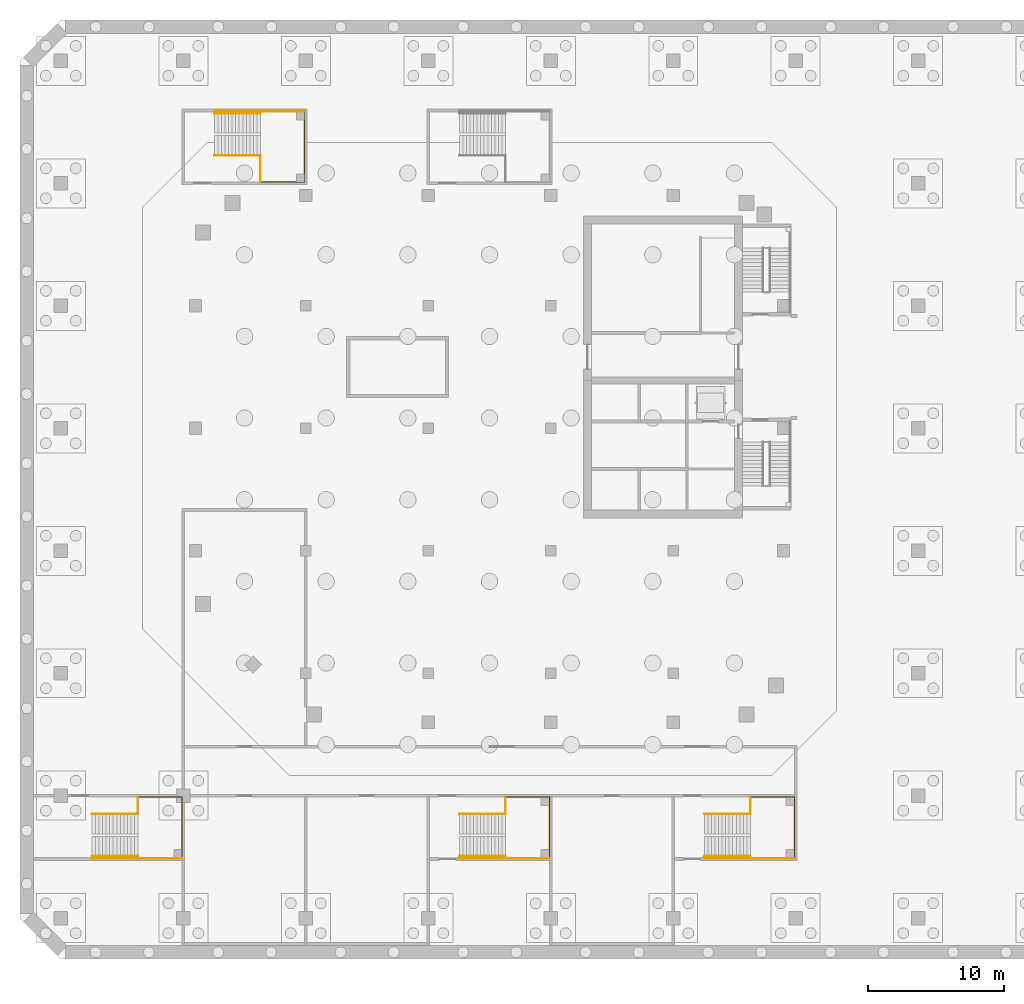
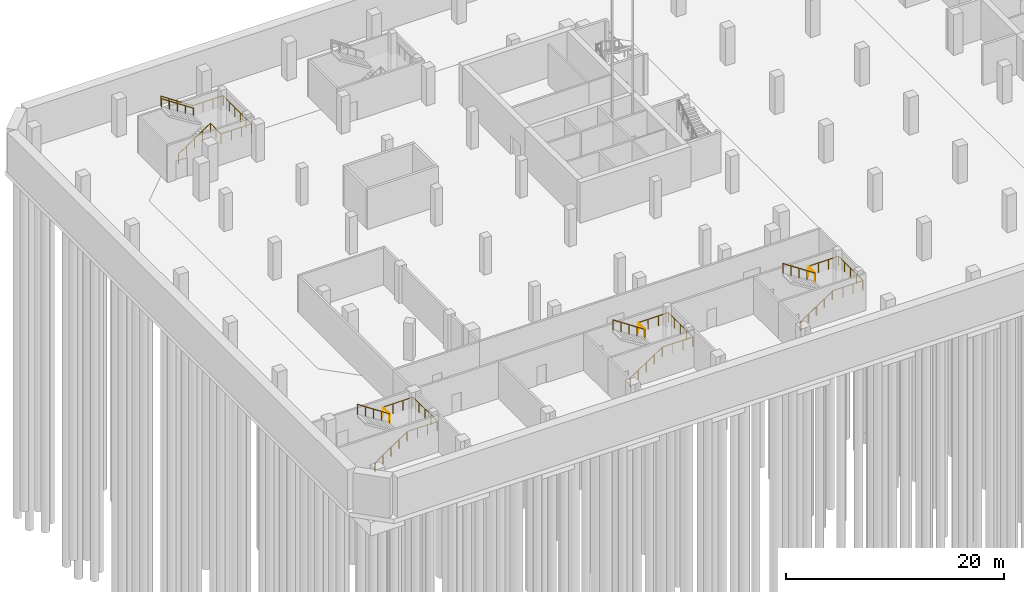
# One storey, part 25 of 30: 20 railings.
"""IFC4 building model written with IfcOpenShell, lengths in metres."""

from ifc_helpers import new_model, si_unit, direction, frame, origin, origin_2d, place, context, subcontext, project, spatial, circle, extrude, material, type_object, element, save


model = new_model("IFC4")

# Units and contexts
model_context = context("Model", 3, precision=1e-05, world=origin(), true_north=direction((0.0, 1.0)))
body_context = subcontext(model_context, "Body", "Model", "MODEL_VIEW")
ifc_project = project(units=[si_unit("LENGTHUNIT", "METRE"), si_unit("AREAUNIT", "SQUARE_METRE"), si_unit("VOLUMEUNIT", "CUBIC_METRE"), si_unit("PLANEANGLEUNIT", "RADIAN"), si_unit("MASSUNIT", "GRAM", prefix="KILO")], contexts=[model_context])

# Site, building, storey
site_placement = place(None, origin())
site = spatial("IfcSite", under=ifc_project, at=site_placement, CompositionType="ELEMENT")
building_placement = place(site_placement, origin())
building = spatial("IfcBuilding", under=site, at=building_placement, Name="Cinnabar Reach Civic Tower", CompositionType="ELEMENT")
storey_placement = place(building_placement, frame((0.0, 0.0, -14.0)))
storey = spatial("IfcBuildingStorey", under=building, at=storey_placement, Name="B3", CompositionType="ELEMENT", Elevation=-14.0)

# Railings
ifc_material_1 = material(Name="Stainless steel and glass", Category="steel")
railing_type_1 = type_object("IfcRailingType", Name="Podium guard 1100", PredefinedType="GUARDRAIL", material=ifc_material_1)
railing_1_placement = place(storey_placement, frame((-75.32, -1.35, 2.25)))
element("IfcRailing", 1, at=railing_1_placement, inside=storey, type_object=railing_type_1, Name="Stair guard PS1 B3", PredefinedType="GUARDRAIL", context=body_context, shape_type="SweptSolid", body=[
    extrude(circle(Radius=0.024, at=origin_2d()), frame((0.0, 0.0, 1.076), z_axis=(-0.832428993721, 0.0, 0.554131726589), x_axis=(0.0, -1.0, 0.0)), (0.0, 0.0, 1.0), 4.0604),
    extrude(circle(Radius=0.021, at=origin_2d()), origin(), (0.0, 0.0, 1.0), 1.052),
    extrude(circle(Radius=0.021, at=origin_2d()), frame((-0.845, 0.0, 0.5625)), (0.0, 0.0, 1.0), 1.052),
    extrude(circle(Radius=0.021, at=origin_2d()), frame((-1.69, 0.0, 1.125)), (0.0, 0.0, 1.0), 1.052),
    extrude(circle(Radius=0.021, at=origin_2d()), frame((-2.535, 0.0, 1.6875)), (0.0, 0.0, 1.0), 1.052),
    extrude(circle(Radius=0.021, at=origin_2d()), frame((-3.38, 0.0, 2.25)), (0.0, 0.0, 1.0), 1.052),
])
railing_2_placement = place(storey_placement, frame((-75.32, -0.1, 2.25)))
element("IfcRailing", 2, at=railing_2_placement, inside=storey, type_object=railing_type_1, Name="Landing guard PS1 B3", PredefinedType="GUARDRAIL", context=body_context, shape_type="SweptSolid", body=[
    extrude(circle(Radius=0.024, at=origin_2d()), frame((0.0, 0.0, 1.076), z_axis=(1.0, 0.0, 0.0), x_axis=(0.0, 1.0, 0.0)), (0.0, 0.0, 1.0), 3.22),
    extrude(circle(Radius=0.024, at=origin_2d()), frame((3.22, 0.0, 1.076), z_axis=(0.0, -1.0, 0.0), x_axis=(1.0, 0.0, 0.0)), (0.0, 0.0, 1.0), 4.4),
    extrude(circle(Radius=0.021, at=origin_2d()), origin(), (0.0, 0.0, 1.0), 1.052),
    extrude(circle(Radius=0.021, at=origin_2d()), frame((1.0733, 0.0, 0.0)), (0.0, 0.0, 1.0), 1.052),
    extrude(circle(Radius=0.021, at=origin_2d()), frame((2.1467, 0.0, 0.0)), (0.0, 0.0, 1.0), 1.052),
    extrude(circle(Radius=0.021, at=origin_2d()), frame((3.22, 0.0, 0.0)), (0.0, 0.0, 1.0), 1.052),
    extrude(circle(Radius=0.021, at=origin_2d()), frame((3.22, -1.1, 0.0)), (0.0, 0.0, 1.0), 1.052),
    extrude(circle(Radius=0.021, at=origin_2d()), frame((3.22, -2.2, 0.0)), (0.0, 0.0, 1.0), 1.052),
    extrude(circle(Radius=0.021, at=origin_2d()), frame((3.22, -3.3, 0.0)), (0.0, 0.0, 1.0), 1.052),
    extrude(circle(Radius=0.021, at=origin_2d()), frame((3.22, -4.4, 0.0)), (0.0, 0.0, 1.0), 1.052),
])
railing_3_placement = place(storey_placement, frame((-75.32, -1.3, 2.25)))
element("IfcRailing", 3, at=railing_3_placement, inside=storey, type_object=railing_type_1, Name="Landing guard PS1 B3 inner", PredefinedType="GUARDRAIL", context=body_context, shape_type="SweptSolid", body=[
    extrude(circle(Radius=0.024, at=origin_2d()), frame((0.0, 0.0, 1.076), z_axis=(0.0, 1.0, 0.0), x_axis=(-1.0, 0.0, 0.0)), (0.0, 0.0, 1.0), 1.2),
    extrude(circle(Radius=0.021, at=origin_2d()), origin(), (0.0, 0.0, 1.0), 1.052),
    extrude(circle(Radius=0.021, at=origin_2d()), frame((0.0, 1.2, 0.0)), (0.0, 0.0, 1.0), 1.052),
])
railing_4_placement = place(storey_placement, frame((-78.7, -4.6, 0.0)))
element("IfcRailing", 4, at=railing_4_placement, inside=storey, type_object=railing_type_1, Name="Stair wall side guard PS1 B3", PredefinedType="GUARDRAIL", context=body_context, shape_type="SweptSolid", body=[
    extrude(circle(Radius=0.024, at=origin_2d()), frame((0.0, 0.0, 1.076), z_axis=(0.832428993721, 0.0, 0.554131726589), x_axis=(0.0, 1.0, 0.0)), (0.0, 0.0, 1.0), 4.0604),
    extrude(circle(Radius=0.024, at=origin_2d()), frame((3.38, 0.0, 3.326), z_axis=(1.0, 0.0, 0.0), x_axis=(0.0, 1.0, 0.0)), (0.0, 0.0, 1.0), 3.22),
    extrude(circle(Radius=0.021, at=origin_2d()), origin(), (0.0, 0.0, 1.0), 1.052),
    extrude(circle(Radius=0.021, at=origin_2d()), frame((0.845, 0.0, 0.5625)), (0.0, 0.0, 1.0), 1.052),
    extrude(circle(Radius=0.021, at=origin_2d()), frame((1.69, 0.0, 1.125)), (0.0, 0.0, 1.0), 1.052),
    extrude(circle(Radius=0.021, at=origin_2d()), frame((2.535, 0.0, 1.6875)), (0.0, 0.0, 1.0), 1.052),
    extrude(circle(Radius=0.021, at=origin_2d()), frame((3.38, 0.0, 2.25)), (0.0, 0.0, 1.0), 1.052),
    extrude(circle(Radius=0.021, at=origin_2d()), frame((4.4533, 0.0, 2.25)), (0.0, 0.0, 1.0), 1.052),
    extrude(circle(Radius=0.021, at=origin_2d()), frame((5.5267, 0.0, 2.25)), (0.0, 0.0, 1.0), 1.052),
    extrude(circle(Radius=0.021, at=origin_2d()), frame((6.6, 0.0, 2.25)), (0.0, 0.0, 1.0), 1.052),
])
railing_5_placement = place(storey_placement, frame((-69.7, 47.05, 0.0)))
element("IfcRailing", 5, at=railing_5_placement, inside=storey, type_object=railing_type_1, Name="Stair guard PS2 B3", PredefinedType="GUARDRAIL", context=body_context, shape_type="SweptSolid", body=[
    extrude(circle(Radius=0.024, at=origin_2d()), frame((0.0, 0.0, 1.076), z_axis=(0.832428993721, 0.0, 0.554131726589), x_axis=(0.0, 1.0, 0.0)), (0.0, 0.0, 1.0), 4.0604),
    extrude(circle(Radius=0.021, at=origin_2d()), origin(), (0.0, 0.0, 1.0), 1.052),
    extrude(circle(Radius=0.021, at=origin_2d()), frame((0.845, 0.0, 0.5625)), (0.0, 0.0, 1.0), 1.052),
    extrude(circle(Radius=0.021, at=origin_2d()), frame((1.69, 0.0, 1.125)), (0.0, 0.0, 1.0), 1.052),
    extrude(circle(Radius=0.021, at=origin_2d()), frame((2.535, 0.0, 1.6875)), (0.0, 0.0, 1.0), 1.052),
    extrude(circle(Radius=0.021, at=origin_2d()), frame((3.38, 0.0, 2.25)), (0.0, 0.0, 1.0), 1.052),
])
railing_6_placement = place(storey_placement, frame((-66.32, 45.1, 2.25)))
element("IfcRailing", 6, at=railing_6_placement, inside=storey, type_object=railing_type_1, Name="Landing guard PS2 B3", PredefinedType="GUARDRAIL", context=body_context, shape_type="SweptSolid", body=[
    extrude(circle(Radius=0.024, at=origin_2d()), frame((0.0, 0.0, 1.076), z_axis=(1.0, 0.0, 0.0), x_axis=(0.0, 1.0, 0.0)), (0.0, 0.0, 1.0), 3.22),
    extrude(circle(Radius=0.024, at=origin_2d()), frame((3.22, 0.0, 1.076), z_axis=(0.0, 1.0, 0.0), x_axis=(-1.0, 0.0, 0.0)), (0.0, 0.0, 1.0), 5.1),
    extrude(circle(Radius=0.021, at=origin_2d()), origin(), (0.0, 0.0, 1.0), 1.052),
    extrude(circle(Radius=0.021, at=origin_2d()), frame((1.0733, 0.0, 0.0)), (0.0, 0.0, 1.0), 1.052),
    extrude(circle(Radius=0.021, at=origin_2d()), frame((2.1467, 0.0, 0.0)), (0.0, 0.0, 1.0), 1.052),
    extrude(circle(Radius=0.021, at=origin_2d()), frame((3.22, 0.0, 0.0)), (0.0, 0.0, 1.0), 1.052),
    extrude(circle(Radius=0.021, at=origin_2d()), frame((3.22, 1.02, 0.0)), (0.0, 0.0, 1.0), 1.052),
    extrude(circle(Radius=0.021, at=origin_2d()), frame((3.22, 2.04, 0.0)), (0.0, 0.0, 1.0), 1.052),
    extrude(circle(Radius=0.021, at=origin_2d()), frame((3.22, 3.06, 0.0)), (0.0, 0.0, 1.0), 1.052),
    extrude(circle(Radius=0.021, at=origin_2d()), frame((3.22, 4.08, 0.0)), (0.0, 0.0, 1.0), 1.052),
    extrude(circle(Radius=0.021, at=origin_2d()), frame((3.22, 5.1, 0.0)), (0.0, 0.0, 1.0), 1.052),
])
railing_7_placement = place(storey_placement, frame((-66.32, 45.1, 2.25)))
element("IfcRailing", 7, at=railing_7_placement, inside=storey, type_object=railing_type_1, Name="Landing guard PS2 B3 inner", PredefinedType="GUARDRAIL", context=body_context, shape_type="SweptSolid", body=[
    extrude(circle(Radius=0.024, at=origin_2d()), frame((0.0, 0.0, 1.076), z_axis=(0.0, 1.0, 0.0), x_axis=(-1.0, 0.0, 0.0)), (0.0, 0.0, 1.0), 1.9),
    extrude(circle(Radius=0.021, at=origin_2d()), origin(), (0.0, 0.0, 1.0), 1.052),
    extrude(circle(Radius=0.021, at=origin_2d()), frame((0.0, 0.95, 0.0)), (0.0, 0.0, 1.0), 1.052),
    extrude(circle(Radius=0.021, at=origin_2d()), frame((0.0, 1.9, 0.0)), (0.0, 0.0, 1.0), 1.052),
])
railing_8_placement = place(storey_placement, frame((-63.1, 50.3, 2.25)))
element("IfcRailing", 8, at=railing_8_placement, inside=storey, type_object=railing_type_1, Name="Stair wall side guard PS2 B3", PredefinedType="GUARDRAIL", context=body_context, shape_type="SweptSolid", body=[
    extrude(circle(Radius=0.024, at=origin_2d()), frame((0.0, 0.0, 1.076), z_axis=(-1.0, 0.0, 0.0), x_axis=(0.0, -1.0, 0.0)), (0.0, 0.0, 1.0), 3.22),
    extrude(circle(Radius=0.024, at=origin_2d()), frame((-3.22, 0.0, 1.076), z_axis=(-0.832428993721, 0.0, 0.554131726589), x_axis=(0.0, -1.0, 0.0)), (0.0, 0.0, 1.0), 4.0604),
    extrude(circle(Radius=0.021, at=origin_2d()), origin(), (0.0, 0.0, 1.0), 1.052),
    extrude(circle(Radius=0.021, at=origin_2d()), frame((-1.0733, 0.0, 0.0)), (0.0, 0.0, 1.0), 1.052),
    extrude(circle(Radius=0.021, at=origin_2d()), frame((-2.1467, 0.0, 0.0)), (0.0, 0.0, 1.0), 1.052),
    extrude(circle(Radius=0.021, at=origin_2d()), frame((-3.22, 0.0, 0.0)), (0.0, 0.0, 1.0), 1.052),
    extrude(circle(Radius=0.021, at=origin_2d()), frame((-4.065, 0.0, 0.5625)), (0.0, 0.0, 1.0), 1.052),
    extrude(circle(Radius=0.021, at=origin_2d()), frame((-4.91, 0.0, 1.125)), (0.0, 0.0, 1.0), 1.052),
    extrude(circle(Radius=0.021, at=origin_2d()), frame((-5.755, 0.0, 1.6875)), (0.0, 0.0, 1.0), 1.052),
    extrude(circle(Radius=0.021, at=origin_2d()), frame((-6.6, 0.0, 2.25)), (0.0, 0.0, 1.0), 1.052),
])
railing_9_placement = place(storey_placement, frame((-48.32, -1.35, 2.25)))
element("IfcRailing", 9, at=railing_9_placement, inside=storey, type_object=railing_type_1, Name="Stair guard PS8 B3", PredefinedType="GUARDRAIL", context=body_context, shape_type="SweptSolid", body=[
    extrude(circle(Radius=0.024, at=origin_2d()), frame((0.0, 0.0, 1.076), z_axis=(-0.832428993721, 0.0, 0.554131726589), x_axis=(0.0, -1.0, 0.0)), (0.0, 0.0, 1.0), 4.0604),
    extrude(circle(Radius=0.021, at=origin_2d()), origin(), (0.0, 0.0, 1.0), 1.052),
    extrude(circle(Radius=0.021, at=origin_2d()), frame((-0.845, 0.0, 0.5625)), (0.0, 0.0, 1.0), 1.052),
    extrude(circle(Radius=0.021, at=origin_2d()), frame((-1.69, 0.0, 1.125)), (0.0, 0.0, 1.0), 1.052),
    extrude(circle(Radius=0.021, at=origin_2d()), frame((-2.535, 0.0, 1.6875)), (0.0, 0.0, 1.0), 1.052),
    extrude(circle(Radius=0.021, at=origin_2d()), frame((-3.38, 0.0, 2.25)), (0.0, 0.0, 1.0), 1.052),
])
railing_10_placement = place(storey_placement, frame((-48.32, -0.1, 2.25)))
element("IfcRailing", 10, at=railing_10_placement, inside=storey, type_object=railing_type_1, Name="Landing guard PS8 B3", PredefinedType="GUARDRAIL", context=body_context, shape_type="SweptSolid", body=[
    extrude(circle(Radius=0.024, at=origin_2d()), frame((0.0, 0.0, 1.076), z_axis=(1.0, 0.0, 0.0), x_axis=(0.0, 1.0, 0.0)), (0.0, 0.0, 1.0), 3.22),
    extrude(circle(Radius=0.024, at=origin_2d()), frame((3.22, 0.0, 1.076), z_axis=(0.0, -1.0, 0.0), x_axis=(1.0, 0.0, 0.0)), (0.0, 0.0, 1.0), 4.4),
    extrude(circle(Radius=0.021, at=origin_2d()), origin(), (0.0, 0.0, 1.0), 1.052),
    extrude(circle(Radius=0.021, at=origin_2d()), frame((1.0733, 0.0, 0.0)), (0.0, 0.0, 1.0), 1.052),
    extrude(circle(Radius=0.021, at=origin_2d()), frame((2.1467, 0.0, 0.0)), (0.0, 0.0, 1.0), 1.052),
    extrude(circle(Radius=0.021, at=origin_2d()), frame((3.22, 0.0, 0.0)), (0.0, 0.0, 1.0), 1.052),
    extrude(circle(Radius=0.021, at=origin_2d()), frame((3.22, -1.1, 0.0)), (0.0, 0.0, 1.0), 1.052),
    extrude(circle(Radius=0.021, at=origin_2d()), frame((3.22, -2.2, 0.0)), (0.0, 0.0, 1.0), 1.052),
    extrude(circle(Radius=0.021, at=origin_2d()), frame((3.22, -3.3, 0.0)), (0.0, 0.0, 1.0), 1.052),
    extrude(circle(Radius=0.021, at=origin_2d()), frame((3.22, -4.4, 0.0)), (0.0, 0.0, 1.0), 1.052),
])
railing_11_placement = place(storey_placement, frame((-48.32, -1.3, 2.25)))
element("IfcRailing", 11, at=railing_11_placement, inside=storey, type_object=railing_type_1, Name="Landing guard PS8 B3 inner", PredefinedType="GUARDRAIL", context=body_context, shape_type="SweptSolid", body=[
    extrude(circle(Radius=0.024, at=origin_2d()), frame((0.0, 0.0, 1.076), z_axis=(0.0, 1.0, 0.0), x_axis=(-1.0, 0.0, 0.0)), (0.0, 0.0, 1.0), 1.2),
    extrude(circle(Radius=0.021, at=origin_2d()), origin(), (0.0, 0.0, 1.0), 1.052),
    extrude(circle(Radius=0.021, at=origin_2d()), frame((0.0, 1.2, 0.0)), (0.0, 0.0, 1.0), 1.052),
])
railing_12_placement = place(storey_placement, frame((-51.7, -4.6, 0.0)))
element("IfcRailing", 12, at=railing_12_placement, inside=storey, type_object=railing_type_1, Name="Stair wall side guard PS8 B3", PredefinedType="GUARDRAIL", context=body_context, shape_type="SweptSolid", body=[
    extrude(circle(Radius=0.024, at=origin_2d()), frame((0.0, 0.0, 1.076), z_axis=(0.832428993721, 0.0, 0.554131726589), x_axis=(0.0, 1.0, 0.0)), (0.0, 0.0, 1.0), 4.0604),
    extrude(circle(Radius=0.024, at=origin_2d()), frame((3.38, 0.0, 3.326), z_axis=(1.0, 0.0, 0.0), x_axis=(0.0, 1.0, 0.0)), (0.0, 0.0, 1.0), 3.22),
    extrude(circle(Radius=0.021, at=origin_2d()), origin(), (0.0, 0.0, 1.0), 1.052),
    extrude(circle(Radius=0.021, at=origin_2d()), frame((0.845, 0.0, 0.5625)), (0.0, 0.0, 1.0), 1.052),
    extrude(circle(Radius=0.021, at=origin_2d()), frame((1.69, 0.0, 1.125)), (0.0, 0.0, 1.0), 1.052),
    extrude(circle(Radius=0.021, at=origin_2d()), frame((2.535, 0.0, 1.6875)), (0.0, 0.0, 1.0), 1.052),
    extrude(circle(Radius=0.021, at=origin_2d()), frame((3.38, 0.0, 2.25)), (0.0, 0.0, 1.0), 1.052),
    extrude(circle(Radius=0.021, at=origin_2d()), frame((4.4533, 0.0, 2.25)), (0.0, 0.0, 1.0), 1.052),
    extrude(circle(Radius=0.021, at=origin_2d()), frame((5.5267, 0.0, 2.25)), (0.0, 0.0, 1.0), 1.052),
    extrude(circle(Radius=0.021, at=origin_2d()), frame((6.6, 0.0, 2.25)), (0.0, 0.0, 1.0), 1.052),
])
railing_13_placement = place(storey_placement, frame((-30.32, -1.35, 2.25)))
element("IfcRailing", 13, at=railing_13_placement, inside=storey, type_object=railing_type_1, Name="Stair guard PS9 B3", PredefinedType="GUARDRAIL", context=body_context, shape_type="SweptSolid", body=[
    extrude(circle(Radius=0.024, at=origin_2d()), frame((0.0, 0.0, 1.076), z_axis=(-0.832428993721, 0.0, 0.554131726589), x_axis=(0.0, -1.0, 0.0)), (0.0, 0.0, 1.0), 4.0604),
    extrude(circle(Radius=0.021, at=origin_2d()), origin(), (0.0, 0.0, 1.0), 1.052),
    extrude(circle(Radius=0.021, at=origin_2d()), frame((-0.845, 0.0, 0.5625)), (0.0, 0.0, 1.0), 1.052),
    extrude(circle(Radius=0.021, at=origin_2d()), frame((-1.69, 0.0, 1.125)), (0.0, 0.0, 1.0), 1.052),
    extrude(circle(Radius=0.021, at=origin_2d()), frame((-2.535, 0.0, 1.6875)), (0.0, 0.0, 1.0), 1.052),
    extrude(circle(Radius=0.021, at=origin_2d()), frame((-3.38, 0.0, 2.25)), (0.0, 0.0, 1.0), 1.052),
])
railing_14_placement = place(storey_placement, frame((-30.32, -0.1, 2.25)))
element("IfcRailing", 14, at=railing_14_placement, inside=storey, type_object=railing_type_1, Name="Landing guard PS9 B3", PredefinedType="GUARDRAIL", context=body_context, shape_type="SweptSolid", body=[
    extrude(circle(Radius=0.024, at=origin_2d()), frame((0.0, 0.0, 1.076), z_axis=(1.0, 0.0, 0.0), x_axis=(0.0, 1.0, 0.0)), (0.0, 0.0, 1.0), 3.22),
    extrude(circle(Radius=0.024, at=origin_2d()), frame((3.22, 0.0, 1.076), z_axis=(0.0, -1.0, 0.0), x_axis=(1.0, 0.0, 0.0)), (0.0, 0.0, 1.0), 4.4),
    extrude(circle(Radius=0.021, at=origin_2d()), origin(), (0.0, 0.0, 1.0), 1.052),
    extrude(circle(Radius=0.021, at=origin_2d()), frame((1.0733, 0.0, 0.0)), (0.0, 0.0, 1.0), 1.052),
    extrude(circle(Radius=0.021, at=origin_2d()), frame((2.1467, 0.0, 0.0)), (0.0, 0.0, 1.0), 1.052),
    extrude(circle(Radius=0.021, at=origin_2d()), frame((3.22, 0.0, 0.0)), (0.0, 0.0, 1.0), 1.052),
    extrude(circle(Radius=0.021, at=origin_2d()), frame((3.22, -1.1, 0.0)), (0.0, 0.0, 1.0), 1.052),
    extrude(circle(Radius=0.021, at=origin_2d()), frame((3.22, -2.2, 0.0)), (0.0, 0.0, 1.0), 1.052),
    extrude(circle(Radius=0.021, at=origin_2d()), frame((3.22, -3.3, 0.0)), (0.0, 0.0, 1.0), 1.052),
    extrude(circle(Radius=0.021, at=origin_2d()), frame((3.22, -4.4, 0.0)), (0.0, 0.0, 1.0), 1.052),
])
railing_15_placement = place(storey_placement, frame((-30.32, -1.3, 2.25)))
element("IfcRailing", 15, at=railing_15_placement, inside=storey, type_object=railing_type_1, Name="Landing guard PS9 B3 inner", PredefinedType="GUARDRAIL", context=body_context, shape_type="SweptSolid", body=[
    extrude(circle(Radius=0.024, at=origin_2d()), frame((0.0, 0.0, 1.076), z_axis=(0.0, 1.0, 0.0), x_axis=(-1.0, 0.0, 0.0)), (0.0, 0.0, 1.0), 1.2),
    extrude(circle(Radius=0.021, at=origin_2d()), origin(), (0.0, 0.0, 1.0), 1.052),
    extrude(circle(Radius=0.021, at=origin_2d()), frame((0.0, 1.2, 0.0)), (0.0, 0.0, 1.0), 1.052),
])
railing_16_placement = place(storey_placement, frame((-33.7, -4.6, 0.0)))
element("IfcRailing", 16, at=railing_16_placement, inside=storey, type_object=railing_type_1, Name="Stair wall side guard PS9 B3", PredefinedType="GUARDRAIL", context=body_context, shape_type="SweptSolid", body=[
    extrude(circle(Radius=0.024, at=origin_2d()), frame((0.0, 0.0, 1.076), z_axis=(0.832428993721, 0.0, 0.554131726589), x_axis=(0.0, 1.0, 0.0)), (0.0, 0.0, 1.0), 4.0604),
    extrude(circle(Radius=0.024, at=origin_2d()), frame((3.38, 0.0, 3.326), z_axis=(1.0, 0.0, 0.0), x_axis=(0.0, 1.0, 0.0)), (0.0, 0.0, 1.0), 3.22),
    extrude(circle(Radius=0.021, at=origin_2d()), origin(), (0.0, 0.0, 1.0), 1.052),
    extrude(circle(Radius=0.021, at=origin_2d()), frame((0.845, 0.0, 0.5625)), (0.0, 0.0, 1.0), 1.052),
    extrude(circle(Radius=0.021, at=origin_2d()), frame((1.69, 0.0, 1.125)), (0.0, 0.0, 1.0), 1.052),
    extrude(circle(Radius=0.021, at=origin_2d()), frame((2.535, 0.0, 1.6875)), (0.0, 0.0, 1.0), 1.052),
    extrude(circle(Radius=0.021, at=origin_2d()), frame((3.38, 0.0, 2.25)), (0.0, 0.0, 1.0), 1.052),
    extrude(circle(Radius=0.021, at=origin_2d()), frame((4.4533, 0.0, 2.25)), (0.0, 0.0, 1.0), 1.052),
    extrude(circle(Radius=0.021, at=origin_2d()), frame((5.5267, 0.0, 2.25)), (0.0, 0.0, 1.0), 1.052),
    extrude(circle(Radius=0.021, at=origin_2d()), frame((6.6, 0.0, 2.25)), (0.0, 0.0, 1.0), 1.052),
])
ifc_material_2 = material(Name="Stainless steel", Category="steel")
railing_type_2 = type_object("IfcRailingType", Name="Podium stair handrail 900", PredefinedType="HANDRAIL", material=ifc_material_2)
railing_17_placement = place(storey_placement, frame((-78.7, -4.45, 0.0)))
element("IfcRailing", 17, at=railing_17_placement, inside=storey, type_object=railing_type_2, Name="Stair handrail PS1 B3", PredefinedType="HANDRAIL", context=body_context, shape_type="SweptSolid", body=[
    extrude(circle(Radius=0.024, at=origin_2d()), frame((0.0, 0.0, 0.876), z_axis=(0.832428993721, 0.0, 0.554131726589), x_axis=(0.0, 1.0, 0.0)), (0.0, 0.0, 1.0), 4.0604),
    extrude(circle(Radius=0.021, at=origin_2d()), origin(), (0.0, 0.0, 1.0), 0.852),
    extrude(circle(Radius=0.021, at=origin_2d()), frame((0.845, 0.0, 0.5625)), (0.0, 0.0, 1.0), 0.852),
    extrude(circle(Radius=0.021, at=origin_2d()), frame((1.69, 0.0, 1.125)), (0.0, 0.0, 1.0), 0.852),
    extrude(circle(Radius=0.021, at=origin_2d()), frame((2.535, 0.0, 1.6875)), (0.0, 0.0, 1.0), 0.852),
    extrude(circle(Radius=0.021, at=origin_2d()), frame((3.38, 0.0, 2.25)), (0.0, 0.0, 1.0), 0.852),
])
railing_18_placement = place(storey_placement, frame((-66.32, 50.15, 2.25)))
element("IfcRailing", 18, at=railing_18_placement, inside=storey, type_object=railing_type_2, Name="Stair handrail PS2 B3", PredefinedType="HANDRAIL", context=body_context, shape_type="SweptSolid", body=[
    extrude(circle(Radius=0.024, at=origin_2d()), frame((0.0, 0.0, 0.876), z_axis=(-0.832428993721, 0.0, 0.554131726589), x_axis=(0.0, -1.0, 0.0)), (0.0, 0.0, 1.0), 4.0604),
    extrude(circle(Radius=0.021, at=origin_2d()), origin(), (0.0, 0.0, 1.0), 0.852),
    extrude(circle(Radius=0.021, at=origin_2d()), frame((-0.845, 0.0, 0.5625)), (0.0, 0.0, 1.0), 0.852),
    extrude(circle(Radius=0.021, at=origin_2d()), frame((-1.69, 0.0, 1.125)), (0.0, 0.0, 1.0), 0.852),
    extrude(circle(Radius=0.021, at=origin_2d()), frame((-2.535, 0.0, 1.6875)), (0.0, 0.0, 1.0), 0.852),
    extrude(circle(Radius=0.021, at=origin_2d()), frame((-3.38, 0.0, 2.25)), (0.0, 0.0, 1.0), 0.852),
])
for number, where, name in (
    (19, (-51.7, -4.45, 0.0), "Stair handrail PS8 B3"),
    (20, (-33.7, -4.45, 0.0), "Stair handrail PS9 B3"),
):
    element("IfcRailing", number, at=place(storey_placement, frame(where)), inside=storey, type_object=railing_type_2, Name=name, PredefinedType="HANDRAIL", context=body_context, shape_type="SweptSolid", body=[
        extrude(circle(Radius=0.024, at=origin_2d()), frame((0.0, 0.0, 0.876), z_axis=(0.832428993721, 0.0, 0.554131726589), x_axis=(0.0, 1.0, 0.0)), (0.0, 0.0, 1.0), 4.0604),
        extrude(circle(Radius=0.021, at=origin_2d()), origin(), (0.0, 0.0, 1.0), 0.852),
        extrude(circle(Radius=0.021, at=origin_2d()), frame((0.845, 0.0, 0.5625)), (0.0, 0.0, 1.0), 0.852),
        extrude(circle(Radius=0.021, at=origin_2d()), frame((1.69, 0.0, 1.125)), (0.0, 0.0, 1.0), 0.852),
        extrude(circle(Radius=0.021, at=origin_2d()), frame((2.535, 0.0, 1.6875)), (0.0, 0.0, 1.0), 0.852),
        extrude(circle(Radius=0.021, at=origin_2d()), frame((3.38, 0.0, 2.25)), (0.0, 0.0, 1.0), 0.852),
    ])

save(model, "model.ifc")
